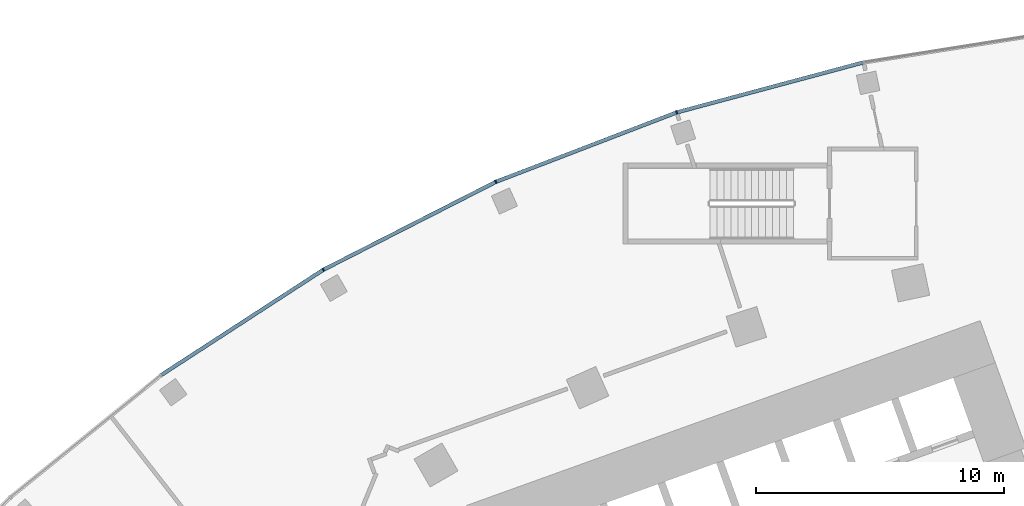
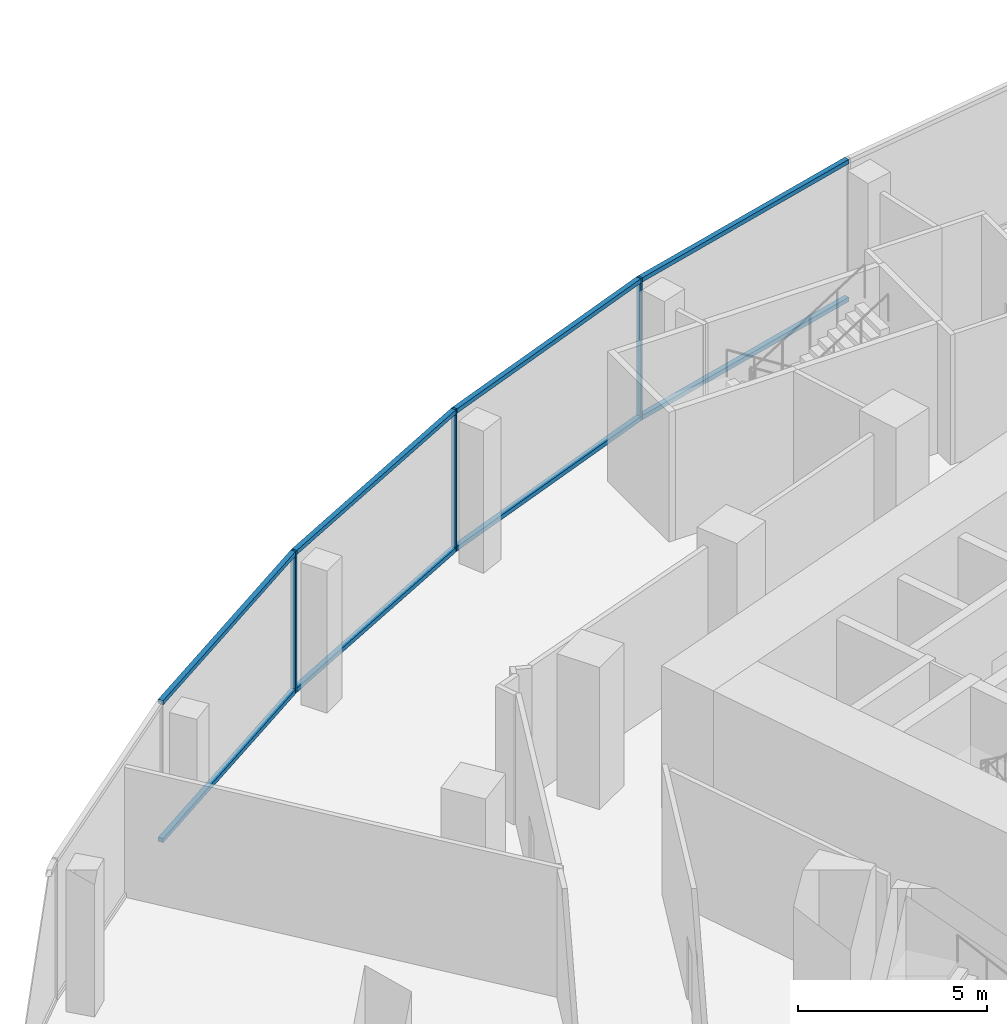
# One storey, part 7 of 40: 11 members, 1 element without a shape of its own.
"""IFC4 building model written with IfcOpenShell, lengths in metres."""

import ifcopenshell
import ifcopenshell.guid

model = None  # the IFC model being written
_history = None  # IfcOwnerHistory: only IFC2X3 demands one
_inside = {}  # id of a spatial element -> (the spatial element, [elements in it])
_under = {}  # id of a project, library or spatial element -> (it, [spatial elements below it])
_declared = {}  # id of a project -> (the project, [libraries it declares])
_typed = {}  # id of a type object -> (the type object, [elements of that type])
_made_of = {}  # id of a material, layer set ... -> (it, [elements and type objects made of it])


def new_model(schema):
    """Start an empty IFC model of exactly this schema.

    Asked for "IFC4X3", IfcOpenShell would pick the latest addendum, in which some entities
    have other attributes; the version numbers below select the first issue.
    IFC2X3 requires an IfcOwnerHistory on every rooted entity: one is made here for all.
    """
    global model, _history
    if schema == "IFC4X3":
        model = ifcopenshell.file(schema_version=(4, 3, 0, 0))
    else:
        model = ifcopenshell.file(schema=schema)
    _inside.clear()
    _under.clear()
    _declared.clear()
    _typed.clear()
    _made_of.clear()
    _history = None
    if model.schema == "IFC2X3":
        org = make("IfcOrganization", Name="unknown")
        user = make(
            "IfcPersonAndOrganization",
            ThePerson=make("IfcPerson", FamilyName="unknown"),
            TheOrganization=org,
        )
        app = make(
            "IfcApplication",
            ApplicationDeveloper=org,
            Version="unknown",
            ApplicationFullName="unknown",
            ApplicationIdentifier="unknown",
        )
        _history = make(
            "IfcOwnerHistory",
            OwningUser=user,
            OwningApplication=app,
            ChangeAction="ADDED",
            CreationDate=0,
        )
    return model


def make(cls, **values):
    """One entity of the class cls with the attributes given. An attribute that is None is left unset."""
    return model.create_entity(
        cls, **{name: value for name, value in values.items() if value is not None}
    )


def rooted(cls, **values):
    """An entity with a GlobalId (a new one), such as an element, a storey or a relation."""
    return make(cls, GlobalId=ifcopenshell.guid.new(), OwnerHistory=_history, **values)


def si_unit(unit_type, name, prefix=None):
    """IfcSIUnit, for example si_unit("LENGTHUNIT", "METRE", prefix="MILLI")."""
    return make("IfcSIUnit", UnitType=unit_type, Prefix=prefix, Name=name)


def assignment(units):
    """IfcUnitAssignment: the units of a project."""
    return None if units is None else make("IfcUnitAssignment", Units=units)


def point(xyz):
    """IfcCartesianPoint."""
    return None if xyz is None else make("IfcCartesianPoint", Coordinates=xyz)


def direction(xyz):
    """IfcDirection."""
    return None if xyz is None else make("IfcDirection", DirectionRatios=xyz)


def frame(location, z_axis=None, x_axis=None):
    """IfcAxis2Placement3D, a coordinate frame: its origin and axes. An axis left out is left unset."""
    return make(
        "IfcAxis2Placement3D",
        Location=point(location),
        Axis=direction(z_axis),
        RefDirection=direction(x_axis),
    )


def frame_2d(location, x_axis=None):
    """IfcAxis2Placement2D, a coordinate frame in the plane: its origin and x axis."""
    return make(
        "IfcAxis2Placement2D", Location=point(location), RefDirection=direction(x_axis)
    )


def origin():
    """The frame at (0, 0, 0) with its axes left unset."""
    return frame((0.0, 0.0, 0.0))


def origin_2d():
    """The frame at (0, 0) in the plane with its x axis left unset."""
    return frame_2d((0.0, 0.0))


def place(relative_to, where):
    """IfcLocalPlacement: puts the frame where relative to a parent placement (None: the world)."""
    return make(
        "IfcLocalPlacement", PlacementRelTo=relative_to, RelativePlacement=where
    )


def context(
    kind, dimensions, precision=None, world=None, true_north=None, identifier=None
):
    """IfcGeometricRepresentationContext, for example the 3D "Model" context."""
    return make(
        "IfcGeometricRepresentationContext",
        ContextIdentifier=identifier,
        ContextType=kind,
        CoordinateSpaceDimension=dimensions,
        Precision=precision,
        WorldCoordinateSystem=world,
        TrueNorth=true_north,
    )


def subcontext(parent, identifier, kind, view, scale=None):
    """IfcGeometricRepresentationSubContext, for example "Body" below "Model"."""
    return make(
        "IfcGeometricRepresentationSubContext",
        ContextIdentifier=identifier,
        ContextType=kind,
        ParentContext=parent,
        TargetScale=scale,
        TargetView=view,
    )


def project(units=None, contexts=None):
    """IfcProject with its units and contexts."""
    return rooted(
        "IfcProject",
        Name="project",
        RepresentationContexts=contexts,
        UnitsInContext=assignment(units),
    )


def spatial(cls, under=None, at=None, **own):
    """A site, building, storey or space (cls), placed at a placement, below another one or the project."""
    s = rooted(cls, ObjectPlacement=at, **own)
    if under is not None:
        _under.setdefault(under.id(), (under, []))[1].append(s)
    return s


def profile(cls, at=None, kind="AREA", **sizes):
    """A parametric profile (cls). Its sizes go by their IFC names, for example OverallWidth=200.0."""
    return make(cls, ProfileType=kind, Position=at, **sizes)


def rectangle(**sizes):
    """IfcRectangleProfileDef."""
    return profile("IfcRectangleProfileDef", **sizes)


def extrude(swept, where, along, depth):
    """IfcExtrudedAreaSolid: the profile swept, set in the frame where, extruded along a direction by depth."""
    return make(
        "IfcExtrudedAreaSolid",
        SweptArea=swept,
        Position=where,
        ExtrudedDirection=direction(along),
        Depth=depth,
    )


def shape(context_of_items, identifier, shape_type, items):
    """IfcShapeRepresentation: the items that make up one representation, for example the "Body"."""
    return make(
        "IfcShapeRepresentation",
        ContextOfItems=context_of_items,
        RepresentationIdentifier=identifier,
        RepresentationType=shape_type,
        Items=items,
    )


def material(Name=None, Category=None):
    """IfcMaterial."""
    return make("IfcMaterial", Name=Name, Category=Category)


def layer(
    of_material, thickness, ventilated=None, Name=None, Category=None, Priority=None
):
    """IfcMaterialLayer: one layer of a wall or slab, of a material (None: an air gap)."""
    return make(
        "IfcMaterialLayer",
        Material=of_material,
        LayerThickness=thickness,
        IsVentilated=ventilated,
        Name=Name,
        Category=Category,
        Priority=Priority,
    )


def layer_set(layers, Name=None):
    """IfcMaterialLayerSet."""
    return make("IfcMaterialLayerSet", MaterialLayers=layers, LayerSetName=Name)


def material_profile(
    of_material, cross_section, Name=None, Category=None, Priority=None
):
    """IfcMaterialProfile: a cross section and its material."""
    return make(
        "IfcMaterialProfile",
        Name=Name,
        Material=of_material,
        Profile=cross_section,
        Priority=Priority,
        Category=Category,
    )


def profile_set(profiles, Name=None, composite=None):
    """IfcMaterialProfileSet."""
    return make(
        "IfcMaterialProfileSet",
        Name=Name,
        MaterialProfiles=profiles,
        CompositeProfile=composite,
    )


def made_of(thing, what):
    """Note that an element or type object is made of a material, layer set ...; save() writes the relation."""
    if what is not None:
        _made_of.setdefault(what.id(), (what, []))[1].append(thing)
    return thing


def type_object(cls, material=None, **own):
    """A type object (cls), such as IfcWallType, which elements share."""
    return made_of(rooted(cls, **own), material)


def element(
    cls,
    number,
    at=None,
    inside=None,
    cuts=None,
    type_object=None,
    material=None,
    context=None,
    identifier="Body",
    shape_type=None,
    held_by="IfcProductDefinitionShape",
    body=None,
    shapes=None,
    **own,
):
    """One element of the class cls, such as IfcWall. Its Tag is "e" and its number.

    at: its placement. inside: the storey or other place that contains it. cuts: it is an
    opening in that element (IfcRelVoidsElement). A single representation is given by context,
    identifier, shape_type and body (its items); several are given by shapes. held_by: the class
    of the entity that holds the representations. save() writes the other relations.
    """
    e = rooted(cls, Tag="e%d" % number, ObjectPlacement=at, **own)
    if body is not None:
        shapes = [shape(context, identifier, shape_type, body)]
    if shapes is not None:
        e.Representation = make(held_by, Representations=shapes)
    if inside is not None:
        _inside.setdefault(inside.id(), (inside, []))[1].append(e)
    if cuts is not None:
        rooted(
            "IfcRelVoidsElement", RelatingBuildingElement=cuts, RelatedOpeningElement=e
        )
    if type_object is not None:
        _typed.setdefault(type_object.id(), (type_object, []))[1].append(e)
    return made_of(e, material)


def aggregate(whole, parts):
    """IfcRelAggregates: a whole, such as a stair, and the parts it consists of."""
    return rooted("IfcRelAggregates", RelatingObject=whole, RelatedObjects=parts)


def save(model, path):
    """Write the relations noted so far, then the file.

    IfcRelAggregates (storeys below a building ...), IfcRelContainedInSpatialStructure (elements
    in a storey), IfcRelDefinesByType, IfcRelAssociatesMaterial and IfcRelDeclares: one each for
    every whole, place, type object, material and project.
    """
    for whole, parts in _under.values():
        aggregate(whole, parts)
    for where, things in _inside.values():
        rooted(
            "IfcRelContainedInSpatialStructure",
            RelatedElements=things,
            RelatingStructure=where,
        )
    for kind, things in _typed.values():
        rooted("IfcRelDefinesByType", RelatedObjects=things, RelatingType=kind)
    for what, things in _made_of.values():
        rooted("IfcRelAssociatesMaterial", RelatedObjects=things, RelatingMaterial=what)
    for by, libraries in _declared.values():
        rooted("IfcRelDeclares", RelatingContext=by, RelatedDefinitions=libraries)
    model.write(path)


model = new_model("IFC4")

# Units and contexts
model_context = context("Model", 3, precision=1e-05, world=origin(), true_north=direction((0.0, 1.0)))
body_context = subcontext(model_context, "Body", "Model", "MODEL_VIEW")
ifc_project = project(units=[si_unit("LENGTHUNIT", "METRE"), si_unit("AREAUNIT", "SQUARE_METRE"), si_unit("VOLUMEUNIT", "CUBIC_METRE"), si_unit("PLANEANGLEUNIT", "RADIAN"), si_unit("MASSUNIT", "GRAM", prefix="KILO")], contexts=[model_context])

# Site, building, storey
site_placement = place(None, origin())
site = spatial("IfcSite", under=ifc_project, at=site_placement, CompositionType="ELEMENT")
building_placement = place(site_placement, origin())
building = spatial("IfcBuilding", under=site, at=building_placement, Name="Stone Belt Terrace Tower", CompositionType="ELEMENT")
storey_placement = place(building_placement, frame((0.0, 0.0, 11.60009765625)))
storey = spatial("IfcBuildingStorey", under=building, at=storey_placement, Name="L02", CompositionType="ELEMENT", Elevation=11.60009765625)

# Curtain wall, members
ifc_material = material(Name="Aluminium 6063-T6 anodised frame", Category="aluminium")
ifc_layer = layer(ifc_material, 0.14990234375)
ifc_layer_set = layer_set([ifc_layer], Name="CW-D podium shopfront")
curtain_wall_type = type_object("IfcCurtainWallType", Name="CW-D podium shopfront", PredefinedType="NOTDEFINED", material=ifc_layer_set)
curtain_wall_placement = place(storey_placement, origin())
curtain_wall = element("IfcCurtainWall", 1, at=curtain_wall_placement, inside=storey, type_object=curtain_wall_type, Name="CW-D convex face L02", PredefinedType="NOTDEFINED")
ifc_material_profile_1 = material_profile(ifc_material, rectangle(XDim=0.14990234375, YDim=0.06005859375, at=origin_2d()), Name="Aluminium 6063-T6 60x150")
ifc_profile_set_1 = profile_set([ifc_material_profile_1], Name="Aluminium 6063-T6 anodised frame")
member_type_1 = type_object("IfcMemberType", Name="CW-D mullion 60 x 150", PredefinedType="MULLION", material=ifc_profile_set_1)
member_1_placement = place(storey_placement, frame((-23.044921875, 70.925048828125, 0.0), z_axis=(0.0, 0.0, 1.0), x_axis=(0.309016994375, -0.951056516295, 0.0)))
member_1 = element("IfcMember", 2, at=member_1_placement, type_object=member_type_1, Name="CW-D mullion 16", PredefinedType="MULLION", context=body_context, shape_type="SweptSolid", body=[
    extrude(rectangle(XDim=0.14990234375, YDim=0.06005859375, at=origin_2d()), origin(), (0.0, 0.0, 1.0), 4.599853515625),
])
member_2_placement = place(storey_placement, frame((-30.33251953125, 68.127685546875, 0.0), z_axis=(0.0, 0.0, 1.0), x_axis=(0.406736643076, -0.913545457643, 0.0)))
member_2 = element("IfcMember", 3, at=member_2_placement, type_object=member_type_1, Name="CW-D mullion 17", PredefinedType="MULLION", context=body_context, shape_type="SweptSolid", body=[
    extrude(rectangle(XDim=0.14990234375, YDim=0.06005859375, at=origin_2d()), origin(), (0.0, 0.0, 1.0), 4.599853515625),
])
member_3_placement = place(storey_placement, frame((-37.28759765625, 64.583984375, 0.0), z_axis=(0.0, 0.0, 1.0), x_axis=(0.5, -0.866025403784, 0.0)))
member_3 = element("IfcMember", 4, at=member_3_placement, type_object=member_type_1, Name="CW-D mullion 18", PredefinedType="MULLION", context=body_context, shape_type="SweptSolid", body=[
    extrude(rectangle(XDim=0.14990234375, YDim=0.06005859375, at=origin_2d()), origin(), (0.0, 0.0, 1.0), 4.599853515625),
])
ifc_material_profile_2 = material_profile(ifc_material, rectangle(XDim=0.14990234375, YDim=0.139892578125, at=origin_2d()), Name="Aluminium 6063-T6 150x140")
ifc_profile_set_2 = profile_set([ifc_material_profile_2], Name="Aluminium 6063-T6 anodised frame")
member_type_2 = type_object("IfcMemberType", Name="CW-D transom 140 x 150", PredefinedType="USERDEFINED", material=ifc_profile_set_2)
member_4_placement = place(storey_placement, frame((-15.537841796875, 72.936767578125, 0.06982421875), z_axis=(-0.965920024897, -0.258840695223, 0.0), x_axis=(0.258840695223, -0.965920024897, 0.0)))
member_4 = element("IfcMember", 5, at=member_4_placement, type_object=member_type_2, Name="CW-D transom 15.1", ObjectType="TRANSOM", PredefinedType="USERDEFINED", context=body_context, shape_type="SweptSolid", body=[
    extrude(rectangle(XDim=0.14990234375, YDim=0.139892578125, at=origin_2d()), origin(), (0.0, 0.0, 1.0), 7.738037109375),
])
member_5_placement = place(storey_placement, frame((-15.537841796875, 72.936767578125, 4.52978515625), z_axis=(-0.965920024897, -0.258840695223, 0.0), x_axis=(0.258840695223, -0.965920024897, 0.0)))
member_5 = element("IfcMember", 6, at=member_5_placement, type_object=member_type_2, Name="CW-D transom 15.2", ObjectType="TRANSOM", PredefinedType="USERDEFINED", context=body_context, shape_type="SweptSolid", body=[
    extrude(rectangle(XDim=0.14990234375, YDim=0.139892578125, at=origin_2d()), origin(), (0.0, 0.0, 1.0), 7.738037109375),
])
member_6_placement = place(storey_placement, frame((-23.07666015625, 70.9130859375, 0.06982421875), z_axis=(-0.933575536994, -0.358380686878, 0.0), x_axis=(0.358380686878, -0.933575536994, 0.0)))
member_6 = element("IfcMember", 7, at=member_6_placement, type_object=member_type_2, Name="CW-D transom 16.1", ObjectType="TRANSOM", PredefinedType="USERDEFINED", context=body_context, shape_type="SweptSolid", body=[
    extrude(rectangle(XDim=0.14990234375, YDim=0.139892578125, at=origin_2d()), origin(), (0.0, 0.0, 1.0), 7.738037109375),
])
member_7_placement = place(storey_placement, frame((-23.07666015625, 70.9130859375, 4.52978515625), z_axis=(-0.933575536994, -0.358380686878, 0.0), x_axis=(0.358380686878, -0.933575536994, 0.0)))
member_7 = element("IfcMember", 8, at=member_7_placement, type_object=member_type_2, Name="CW-D transom 16.2", ObjectType="TRANSOM", PredefinedType="USERDEFINED", context=body_context, shape_type="SweptSolid", body=[
    extrude(rectangle(XDim=0.14990234375, YDim=0.139892578125, at=origin_2d()), origin(), (0.0, 0.0, 1.0), 7.738037109375),
])
member_8_placement = place(storey_placement, frame((-30.362548828125, 68.1123046875, 0.06982421875), z_axis=(-0.891013010183, -0.453977770034, 0.0), x_axis=(0.453977770034, -0.891013010183, 0.0)))
member_8 = element("IfcMember", 9, at=member_8_placement, type_object=member_type_2, Name="CW-D transom 17.1", ObjectType="TRANSOM", PredefinedType="USERDEFINED", context=body_context, shape_type="SweptSolid", body=[
    extrude(rectangle(XDim=0.14990234375, YDim=0.139892578125, at=origin_2d()), origin(), (0.0, 0.0, 1.0), 7.738037109375),
])
member_9_placement = place(storey_placement, frame((-30.362548828125, 68.1123046875, 4.52978515625), z_axis=(-0.891013010183, -0.453977770034, 0.0), x_axis=(0.453977770034, -0.891013010183, 0.0)))
member_9 = element("IfcMember", 10, at=member_9_placement, type_object=member_type_2, Name="CW-D transom 17.2", ObjectType="TRANSOM", PredefinedType="USERDEFINED", context=body_context, shape_type="SweptSolid", body=[
    extrude(rectangle(XDim=0.14990234375, YDim=0.139892578125, at=origin_2d()), origin(), (0.0, 0.0, 1.0), 7.738037109375),
])
member_10_placement = place(storey_placement, frame((-37.31591796875, 64.5654296875, 0.06982421875), z_axis=(-0.83867853224, -0.54462677088, 0.0), x_axis=(0.54462677088, -0.83867853224, 0.0)))
member_10 = element("IfcMember", 11, at=member_10_placement, type_object=member_type_2, Name="CW-D transom 18.1", ObjectType="TRANSOM", PredefinedType="USERDEFINED", context=body_context, shape_type="SweptSolid", body=[
    extrude(rectangle(XDim=0.14990234375, YDim=0.139892578125, at=origin_2d()), origin(), (0.0, 0.0, 1.0), 7.738037109375),
])
member_11_placement = place(storey_placement, frame((-37.31591796875, 64.5654296875, 4.52978515625), z_axis=(-0.83867853224, -0.54462677088, 0.0), x_axis=(0.54462677088, -0.83867853224, 0.0)))
member_11 = element("IfcMember", 12, at=member_11_placement, type_object=member_type_2, Name="CW-D transom 18.2", ObjectType="TRANSOM", PredefinedType="USERDEFINED", context=body_context, shape_type="SweptSolid", body=[
    extrude(rectangle(XDim=0.14990234375, YDim=0.139892578125, at=origin_2d()), origin(), (0.0, 0.0, 1.0), 7.738037109375),
])
aggregate(curtain_wall, [member_1, member_2, member_3, member_4, member_5, member_6, member_7, member_8, member_9, member_10, member_11])

save(model, "model.ifc")
